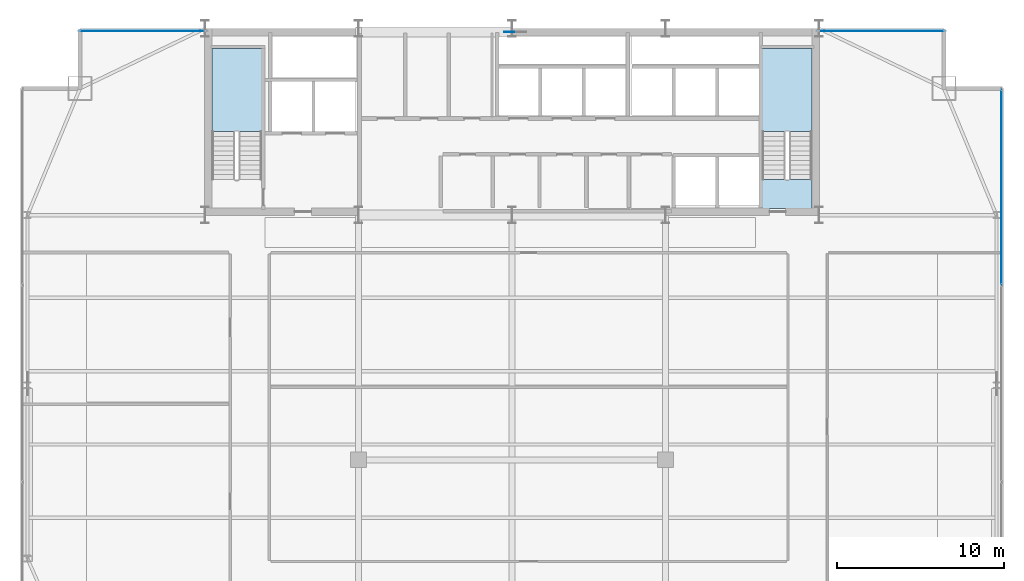
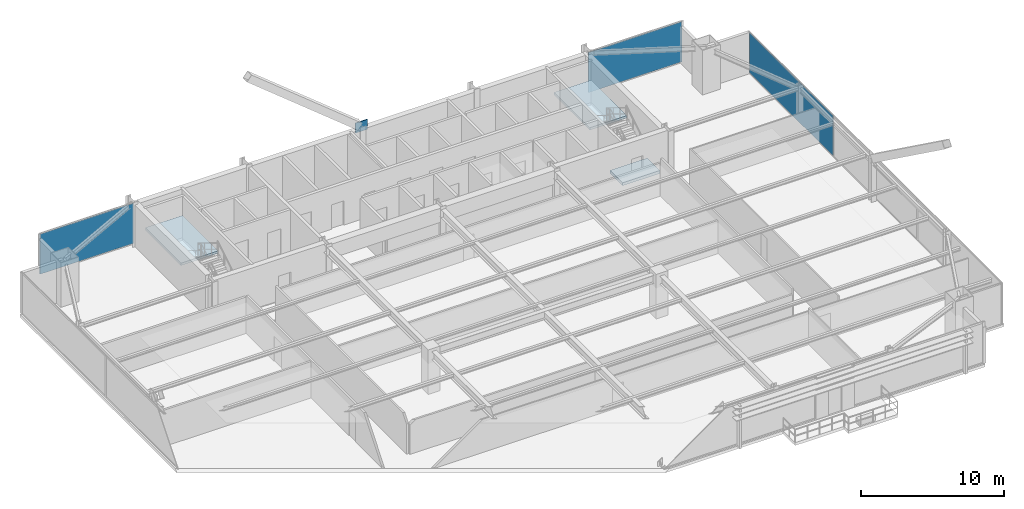
# One storey, part 30 of 37: 4 plates, 3 slabs, 5 elements without a shape of their own.
"""IFC4 building model written with IfcOpenShell, lengths in metres."""

from ifc_helpers import new_model, si_unit, direction, frame, origin, origin_2d, place, context, subcontext, project, spatial, polyline, rectangle, outline, extrude, source, transform, mapped, material, layer, layer_set, type_object, type_shapes, element, aggregate, save


model = new_model("IFC4")

# Units and contexts
model_context = context("Model", 3, precision=1e-05, world=origin(), true_north=direction((0.0, 1.0)))
body_context = subcontext(model_context, "Body", "Model", "MODEL_VIEW")
ifc_project = project(units=[si_unit("LENGTHUNIT", "METRE"), si_unit("AREAUNIT", "SQUARE_METRE"), si_unit("VOLUMEUNIT", "CUBIC_METRE"), si_unit("PLANEANGLEUNIT", "RADIAN"), si_unit("MASSUNIT", "GRAM", prefix="KILO")], contexts=[model_context])

# Site, building, storey
site_placement = place(None, origin())
site = spatial("IfcSite", under=ifc_project, at=site_placement, CompositionType="ELEMENT")
building_placement = place(site_placement, origin())
building = spatial("IfcBuilding", under=site, at=building_placement, Name="Varnel Quay Broadcast Tower", CompositionType="ELEMENT")
storey_placement = place(building_placement, frame((0.0, 0.0, 106.800048828125)))
storey = spatial("IfcBuildingStorey", under=building, at=storey_placement, Name="L25", CompositionType="ELEMENT", Elevation=106.800048828125)

# Slab
ifc_material_1 = material(Name="Concrete CSA A23.3 C50/60", Category="concrete")
ifc_layer_1 = layer(ifc_material_1, 0.25, Name="Concrete CSA A23.3 C50/60")
ifc_layer_set_1 = layer_set([ifc_layer_1], Name="Concrete CSA A23.3 C50/60")
slab_type_1 = type_object("IfcSlabType", Name="Slab_StairFloorLanding250", PredefinedType="FLOOR", material=ifc_layer_set_1)
slab_1_placement = place(storey_placement, frame((0.0, 0.0, -0.25)))
element("IfcSlab", 1, at=slab_1_placement, inside=storey, type_object=slab_type_1, Name="L25 ST-02 Structural Floor Landing Slab", PredefinedType="FLOOR", context=body_context, shape_type="SweptSolid", body=[
    extrude(outline(polyline([(52.0, 36.0), (52.0, 37.75), (49.0, 37.75), (49.0, 36.0), (52.0, 36.0)])), origin(), (0.0, 0.0, 1.0), 0.25),
])

# Stair, slab
ifc_material_2 = material(Name="Precast Structural Concrete C40/50", Category="concrete")
stair_type_1 = type_object("IfcStairType", Name="Stair_ST-01", PredefinedType="HALF_TURN_STAIR", material=ifc_material_2)
stair_1_placement = place(storey_placement, origin())
stair_1 = element("IfcStair", 2, at=stair_1_placement, inside=storey, type_object=stair_type_1, Name="L25 West Core Exit Stair 1", PredefinedType="HALF_TURN_STAIR")
ifc_layer_2 = layer(ifc_material_2, 0.199951171875, Name="Precast Structural Concrete C40/50")
ifc_layer_set_2 = layer_set([ifc_layer_2], Name="Precast Structural Concrete C40/50")
slab_type_2 = type_object("IfcSlabType", Name="Slab_StairLanding200", PredefinedType="LANDING", material=ifc_layer_set_2)
slab_2_placement = place(storey_placement, frame((0.0, 0.0, 1.699951171875)))
slab_2 = element("IfcSlab", 3, at=slab_2_placement, type_object=slab_type_2, Name="ST-01 landing 1", PredefinedType="LANDING", context=body_context, shape_type="SweptSolid", body=[
    extrude(outline(polyline([(19.0, 40.60009765625), (19.0, 45.60009765625), (16.0, 45.60009765625), (16.0, 40.60009765625), (19.0, 40.60009765625)])), origin(), (0.0, 0.0, 1.0), 0.199951171875),
])
aggregate(stair_1, [slab_2])

stair_type_2 = type_object("IfcStairType", Name="Stair_ST-02", PredefinedType="HALF_TURN_STAIR", material=ifc_material_2)
stair_2_placement = place(storey_placement, origin())
stair_2 = element("IfcStair", 4, at=stair_2_placement, inside=storey, type_object=stair_type_2, Name="L25 East Core Exit Stair 2", PredefinedType="HALF_TURN_STAIR")
slab_3_placement = place(storey_placement, frame((0.0, 0.0, 1.699951171875)))
slab_3 = element("IfcSlab", 5, at=slab_3_placement, type_object=slab_type_2, Name="ST-02 landing 1", PredefinedType="LANDING", context=body_context, shape_type="SweptSolid", body=[
    extrude(outline(polyline([(52.0, 40.60009765625), (52.0, 45.60009765625), (49.0, 45.60009765625), (49.0, 40.60009765625), (52.0, 40.60009765625)])), origin(), (0.0, 0.0, 1.0), 0.199951171875),
])
aggregate(stair_2, [slab_3])

# Plate
ifc_material_3 = material(Name="Structural Steel CSA G40.21 350WT", Category="steel")
ifc_layer_3 = layer(ifc_material_3, 0.0400390625, Name="Structural Steel CSA G40.21 350WT")
ifc_layer_set_3 = layer_set([ifc_layer_3], Name="Structural Steel CSA G40.21 350WT")
plate_type_1 = type_object("IfcPlateType", Name="Plate_MegaGusset", PredefinedType="USERDEFINED", material=ifc_layer_set_3)
shared_shape_1 = source(origin(), body_context, "Body", "SweptSolid", [
    extrude(rectangle(XDim=0.955078125, YDim=0.0400390625, at=origin_2d()), origin(), (0.0, 0.0, 1.0), 0.85791015625),
])
type_shapes(plate_type_1, [shared_shape_1])
plate_1_placement = place(storey_placement, frame((34.0, 46.580078125, 3.24609375), z_axis=(0.0, 0.0, 1.0), x_axis=(1.0, 0.0, 0.0)))
element("IfcPlate", 6, at=plate_1_placement, inside=storey, type_object=plate_type_1, Name="Zone 2 Mega-Brace N-CT2 Central X-Crossing Gusset Plate", ObjectType="GUSSET_PLATE", PredefinedType="USERDEFINED", context=body_context, shape_type="MappedRepresentation", body=[
    mapped(shared_shape_1, transform((0.0, 0.0, 0.0), x_axis=(1.0, 0.0, 0.0), y_axis=(0.0, 1.0, 0.0), z_axis=(0.0, 0.0, 1.0), scale=1.0)),
])

# Curtain wall, plate
ifc_material_4 = material(Name="Anodised Bronze Aluminium 6063-T6", Category="aluminium")
ifc_layer_4 = layer(ifc_material_4, 0.18994140625, Name="Anodised Bronze Aluminium 6063-T6")
ifc_layer_set_4 = layer_set([ifc_layer_4], Name="Anodised Bronze Aluminium 6063-T6")
curtain_wall_type = type_object("IfcCurtainWallType", Name="CW_LowerTower", PredefinedType="NOTDEFINED", material=ifc_layer_set_4)
curtain_wall_1_placement = place(storey_placement, origin())
curtain_wall_1 = element("IfcCurtainWall", 7, at=curtain_wall_1_placement, inside=storey, type_object=curtain_wall_type, Name="L25 NW Wing Curtain Wall", PredefinedType="NOTDEFINED")
ifc_material_5 = material(Name="Triple-Glazed Bronze Low-E Architectural Glass", Category="glass")
ifc_layer_5 = layer(ifc_material_5, 0.031982421875, Name="Triple-Glazed Bronze Low-E Architectural Glass")
ifc_layer_set_5 = layer_set([ifc_layer_5], Name="Triple-Glazed Bronze Low-E Architectural Glass")
plate_type_2 = type_object("IfcPlateType", Name="Panel_CWS-02", PredefinedType="CURTAIN_PANEL", material=ifc_layer_set_5)
shared_shape_2 = source(origin(), body_context, "Body", "SweptSolid", [
    extrude(rectangle(XDim=7.5400390625, YDim=0.031982421875, at=origin_2d()), origin(), (0.0, 0.0, 1.0), 3.429931640625),
])
plate_2_placement = place(storey_placement, frame((11.860107421875, 46.64990234375, 0.06005859375), z_axis=(0.0, 0.0, 1.0), x_axis=(1.0, 0.0, 0.0)))
plate_2 = element("IfcPlate", 8, at=plate_2_placement, type_object=plate_type_2, Name="CWS-02 panel 1.1", PredefinedType="CURTAIN_PANEL", context=body_context, shape_type="MappedRepresentation", body=[
    mapped(shared_shape_2, transform((0.0, 0.0, 0.0), x_axis=(1.0, 0.0, 0.0), y_axis=(0.0, 1.0, 0.0), z_axis=(0.0, 0.0, 1.0), scale=1.0)),
])
aggregate(curtain_wall_1, [plate_2])

curtain_wall_2_placement = place(storey_placement, origin())
curtain_wall_2 = element("IfcCurtainWall", 9, at=curtain_wall_2_placement, inside=storey, type_object=curtain_wall_type, Name="L25 NE Wing Curtain Wall", PredefinedType="NOTDEFINED")
plate_3_placement = place(storey_placement, frame((56.139892578125, 46.64990234375, 0.06005859375), z_axis=(0.0, 0.0, 1.0), x_axis=(1.0, 0.0, 0.0)))
plate_3 = element("IfcPlate", 10, at=plate_3_placement, type_object=plate_type_2, Name="CWS-02 panel 1.1", PredefinedType="CURTAIN_PANEL", context=body_context, shape_type="MappedRepresentation", body=[
    mapped(shared_shape_2, transform((0.0, 0.0, 0.0), x_axis=(1.0, 0.0, 0.0), y_axis=(0.0, 1.0, 0.0), z_axis=(0.0, 0.0, 1.0), scale=1.0)),
])
aggregate(curtain_wall_2, [plate_3])

curtain_wall_3_placement = place(storey_placement, origin())
curtain_wall_3 = element("IfcCurtainWall", 11, at=curtain_wall_3_placement, inside=storey, type_object=curtain_wall_type, Name="L25 East Unitised Curtain Wall", PredefinedType="NOTDEFINED")
shared_shape_3 = source(origin(), body_context, "Body", "SweptSolid", [
    extrude(rectangle(XDim=11.695068359375, YDim=0.031982421875, at=origin_2d()), origin(), (0.0, 0.0, 1.0), 3.429931640625),
])
type_shapes(plate_type_2, [shared_shape_2, shared_shape_3])
plate_4_placement = place(storey_placement, frame((63.35009765625, 37.282470703125, 0.06005859375), z_axis=(0.0, 0.0, 1.0), x_axis=(0.0, 1.0, 0.0)))
plate_4 = element("IfcPlate", 12, at=plate_4_placement, type_object=plate_type_2, Name="CWS-02 panel 3.1", PredefinedType="CURTAIN_PANEL", context=body_context, shape_type="MappedRepresentation", body=[
    mapped(shared_shape_3, transform((0.0, 0.0, 0.0), x_axis=(1.0, 0.0, 0.0), y_axis=(0.0, 1.0, 0.0), z_axis=(0.0, 0.0, 1.0), scale=1.0)),
])
aggregate(curtain_wall_3, [plate_4])

save(model, "model.ifc")
